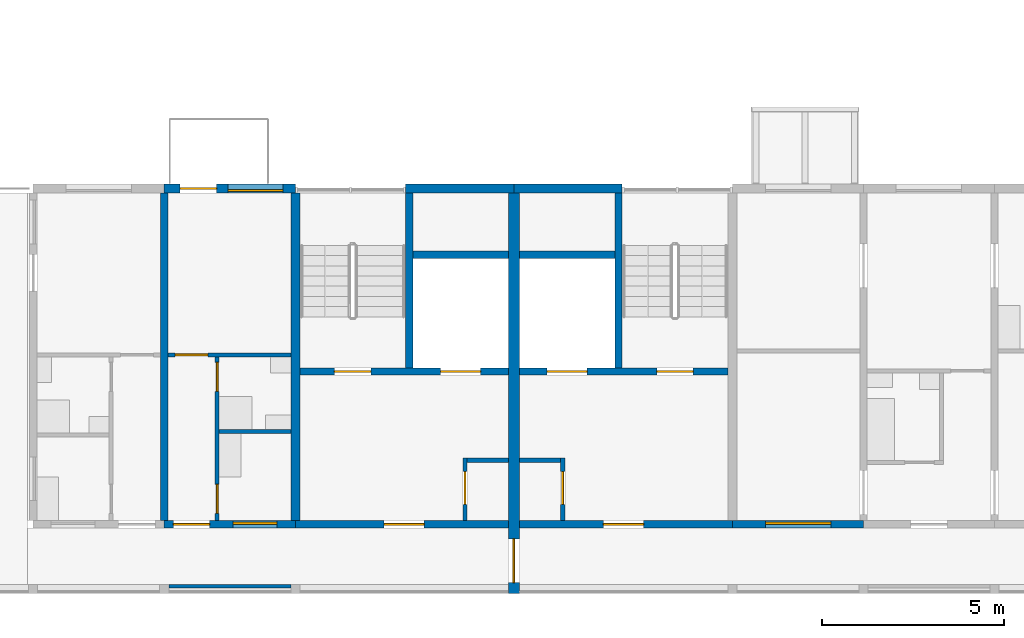
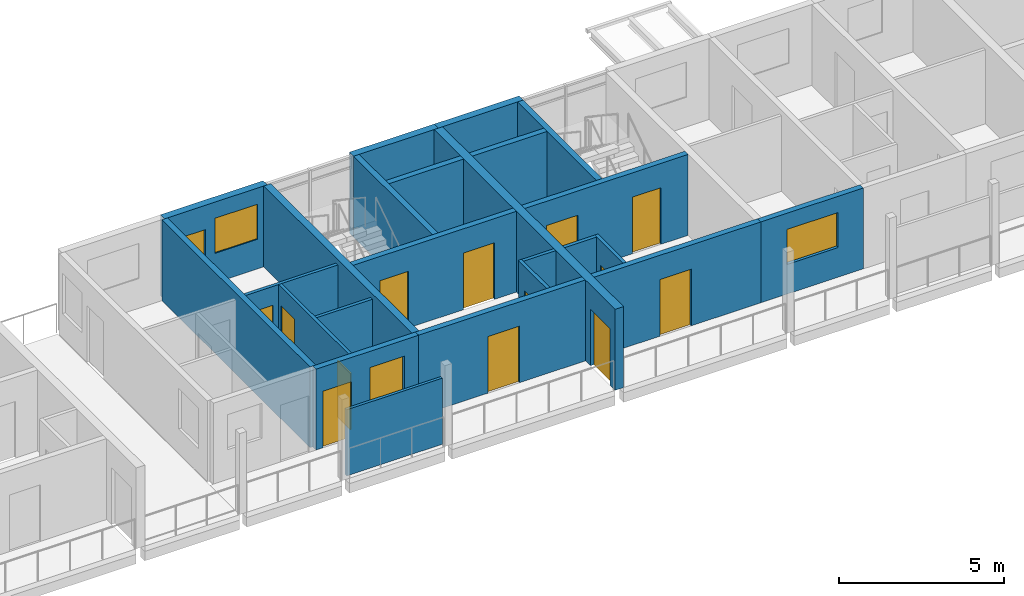
# One storey, part 36 of 64: 24 walls, 14 doors, 3 windows, 17 openings.
"""IFC4 building model written with IfcOpenShell, lengths in metres."""

from ifc_helpers import new_model, si_unit, direction, frame, frame_2d, origin, place, context, subcontext, project, spatial, rectangle, extrude, material, layer, layer_set, type_object, element, fill, save


model = new_model("IFC4")

# Units and contexts
model_context = context("Model", 3, precision=1e-05, world=origin(), true_north=direction((0.0, 1.0)))
body_context = subcontext(model_context, "Body", "Model", "MODEL_VIEW")
ifc_project = project(units=[si_unit("LENGTHUNIT", "METRE"), si_unit("AREAUNIT", "SQUARE_METRE"), si_unit("VOLUMEUNIT", "CUBIC_METRE"), si_unit("PLANEANGLEUNIT", "RADIAN"), si_unit("MASSUNIT", "GRAM", prefix="KILO")], contexts=[model_context])

# Site, building, storey
site_placement = place(None, origin())
site = spatial("IfcSite", under=ifc_project, at=site_placement, CompositionType="ELEMENT")
building_placement = place(site_placement, origin())
building = spatial("IfcBuilding", under=site, at=building_placement, Name="Ridgestep Commons", CompositionType="ELEMENT")
storey_placement = place(building_placement, frame((0.0, 0.0, 33.0)))
storey = spatial("IfcBuildingStorey", under=building, at=storey_placement, Name="L11", CompositionType="ELEMENT", Elevation=33.0)

# Wall
ifc_material_1 = material(Name="Concrete C30/37", Category="concrete")
ifc_layer_1 = layer(ifc_material_1, 0.25)
ifc_layer_set_1 = layer_set([ifc_layer_1], Name="Core cross wall 250")
wall_type_1 = type_object("IfcWallType", Name="Core cross wall 250", PredefinedType="SHEAR", material=ifc_layer_set_1)
wall_1_placement = place(storey_placement, frame((208.0, 13.75, 0.0), z_axis=(0.0, 0.0, 1.0), x_axis=(0.0, 1.0, 0.0)))
element("IfcWall", 1, at=wall_1_placement, inside=storey, type_object=wall_type_1, Name="Cross wall D-11-2080", PredefinedType="SHEAR", context=body_context, shape_type="SweptSolid", body=[
    extrude(rectangle(XDim=9.0, YDim=0.25, at=frame_2d((4.5, 0.0))), origin(), (0.0, 0.0, 1.0), 3.0),
])

# Wall, opening, door
ifc_material_2 = material(Name="Concrete C30/37", Category="concrete")
ifc_layer_2 = layer(ifc_material_2, 0.199951171875)
ifc_layer_set_2 = layer_set([ifc_layer_2], Name="Core south wall 200")
wall_type_2 = type_object("IfcWallType", Name="Core south wall 200", PredefinedType="SHEAR", material=ifc_layer_set_2)
wall_2_placement = place(storey_placement, frame((208.0, 13.64990234375, 0.0), z_axis=(0.0, 0.0, 1.0), x_axis=(1.0, 0.0, 0.0)))
wall_2 = element("IfcWall", 2, at=wall_2_placement, inside=storey, type_object=wall_type_2, Name="Core south wall D4C L11", PredefinedType="SHEAR", context=body_context, shape_type="SweptSolid", body=[
    extrude(rectangle(XDim=5.85009765625, YDim=0.199951171875, at=frame_2d((2.925048828125, 0.0))), origin(), (0.0, 0.0, 1.0), 3.0),
])
opening_1_placement = place(wall_2_placement, frame((2.4375, 0.0, 0.0)))
opening_1 = element("IfcOpeningElement", 3, at=opening_1_placement, cuts=wall_2, Name="Opening D4C/11/1", PredefinedType="OPENING", context=body_context, shape_type="SweptSolid", body=[
    extrude(rectangle(XDim=1.10009765625, YDim=2.10009765625, at=frame_2d((0.550048828125, 1.050048828125))), frame((0.0, 0.10986328125, 0.0), z_axis=(0.0, -1.0, 0.0), x_axis=(1.0, 0.0, 0.0)), (0.0, 0.0, 1.0), 0.219970703125),
])
ifc_material_3 = material(Name="Steel fire door", Category="steel")
door_type_1 = type_object("IfcDoorType", Name="Lobby door 1100 x 2100 FD60", OperationType="NOTDEFINED", PredefinedType="DOOR", material=ifc_material_3)
door_1_placement = place(opening_1_placement, origin())
door_1 = element("IfcDoor", 4, at=door_1_placement, inside=storey, type_object=door_type_1, Name="Lobby door D4C/11/1", OperationType="SINGLE_SWING_LEFT", OverallHeight=2.10009765625, OverallWidth=1.10009765625, PredefinedType="DOOR", context=body_context, shape_type="SweptSolid", body=[
    extrude(rectangle(XDim=1.10009765625, YDim=2.10009765625, at=frame_2d((0.550048828125, 1.050048828125))), frame((0.0, 0.02490234375, 0.0), z_axis=(0.0, -1.0, 0.0), x_axis=(1.0, 0.0, 0.0)), (0.0, 0.0, 1.0), 0.050048828125),
])
fill(opening_1, door_1)

wall_3_placement = place(storey_placement, frame((214.14990234375, 13.64990234375, 0.0), z_axis=(0.0, 0.0, 1.0), x_axis=(1.0, 0.0, 0.0)))
wall_3 = element("IfcWall", 5, at=wall_3_placement, inside=storey, type_object=wall_type_2, Name="Core south wall D5C L11", PredefinedType="SHEAR", context=body_context, shape_type="SweptSolid", body=[
    extrude(rectangle(XDim=5.85009765625, YDim=0.199951171875, at=frame_2d((2.925048828125, 0.0))), origin(), (0.0, 0.0, 1.0), 3.0),
])
opening_2_placement = place(wall_3_placement, frame((2.3125, 0.0, 0.0)))
opening_2 = element("IfcOpeningElement", 6, at=opening_2_placement, cuts=wall_3, Name="Opening D5C/11/1", PredefinedType="OPENING", context=body_context, shape_type="SweptSolid", body=[
    extrude(rectangle(XDim=1.10009765625, YDim=2.10009765625, at=frame_2d((0.550048828125, 1.050048828125))), frame((0.0, 0.10986328125, 0.0), z_axis=(0.0, -1.0, 0.0), x_axis=(1.0, 0.0, 0.0)), (0.0, 0.0, 1.0), 0.219970703125),
])
door_2_placement = place(opening_2_placement, origin())
door_2 = element("IfcDoor", 7, at=door_2_placement, inside=storey, type_object=door_type_1, Name="Lobby door D5C/11/1", OperationType="SINGLE_SWING_LEFT", OverallHeight=2.10009765625, OverallWidth=1.10009765625, PredefinedType="DOOR", context=body_context, shape_type="SweptSolid", body=[
    extrude(rectangle(XDim=1.10009765625, YDim=2.10009765625, at=frame_2d((0.550048828125, 1.050048828125))), frame((0.0, 0.02490234375, 0.0), z_axis=(0.0, -1.0, 0.0), x_axis=(1.0, 0.0, 0.0)), (0.0, 0.0, 1.0), 0.050048828125),
])
fill(opening_2, door_2)

ifc_material_4 = material(Name="Concrete C30/37", Category="concrete")
ifc_layer_3 = layer(ifc_material_4, 0.1201171875)
ifc_layer_set_3 = layer_set([ifc_layer_3], Name="Core wall 120")
wall_type_3 = type_object("IfcWallType", Name="Core wall 120", PredefinedType="SHEAR", material=ifc_layer_set_3)
wall_4_placement = place(storey_placement, frame((212.659912109375, 13.75, 0.0), z_axis=(0.0, 0.0, 1.0), x_axis=(0.0, 1.0, 0.0)))
wall_4 = element("IfcWall", 8, at=wall_4_placement, inside=storey, type_object=wall_type_3, Name="Core riser w wall D4C L11", PredefinedType="SHEAR", context=body_context, shape_type="SweptSolid", body=[
    extrude(rectangle(XDim=1.719970703125, YDim=0.1201171875, at=frame_2d((0.85986328125, 0.0))), origin(), (0.0, 0.0, 1.0), 3.0),
])
opening_3_placement = place(wall_4_placement, frame((0.449951171875, 0.0, 0.0)))
opening_3 = element("IfcOpeningElement", 9, at=opening_3_placement, cuts=wall_4, Name="Opening D4C/11/4", PredefinedType="OPENING", context=body_context, shape_type="SweptSolid", body=[
    extrude(rectangle(XDim=0.89990234375, YDim=2.10009765625, at=frame_2d((0.449951171875, 1.050048828125))), frame((0.0, 0.070068359375, 0.0), z_axis=(0.0, -1.0, 0.0), x_axis=(1.0, 0.0, 0.0)), (0.0, 0.0, 1.0), 0.14013671875),
])
ifc_material_5 = material(Name="Steel fire door", Category="steel")
door_type_2 = type_object("IfcDoorType", Name="Riser door 900 x 2100 FD60", OperationType="NOTDEFINED", PredefinedType="DOOR", material=ifc_material_5)
door_3_placement = place(opening_3_placement, origin())
door_3 = element("IfcDoor", 10, at=door_3_placement, inside=storey, type_object=door_type_2, Name="Riser door D4C/11/4", OperationType="SINGLE_SWING_LEFT", OverallHeight=2.10009765625, OverallWidth=0.89990234375, PredefinedType="DOOR", context=body_context, shape_type="SweptSolid", body=[
    extrude(rectangle(XDim=0.89990234375, YDim=2.10009765625, at=frame_2d((0.449951171875, 1.050048828125))), frame((0.0, 0.02490234375, 0.0), z_axis=(0.0, -1.0, 0.0), x_axis=(1.0, 0.0, 0.0)), (0.0, 0.0, 1.0), 0.050048828125),
])
fill(opening_3, door_3)

# Wall
wall_5_placement = place(storey_placement, frame((212.719970703125, 15.409912109375, 0.0), z_axis=(0.0, 0.0, 1.0), x_axis=(1.0, 0.0, 0.0)))
element("IfcWall", 11, at=wall_5_placement, inside=storey, type_object=wall_type_3, Name="Core riser n wall D4C L11", PredefinedType="SHEAR", context=body_context, shape_type="SweptSolid", body=[
    extrude(rectangle(XDim=1.130126953125, YDim=0.1201171875, at=frame_2d((0.56494140625, 0.0))), origin(), (0.0, 0.0, 1.0), 3.0),
])

# Wall, opening, door
wall_6_placement = place(storey_placement, frame((215.340087890625, 13.75, 0.0), z_axis=(0.0, 0.0, 1.0), x_axis=(0.0, 1.0, 0.0)))
wall_6 = element("IfcWall", 12, at=wall_6_placement, inside=storey, type_object=wall_type_3, Name="Core riser w wall D5C L11", PredefinedType="SHEAR", context=body_context, shape_type="SweptSolid", body=[
    extrude(rectangle(XDim=1.719970703125, YDim=0.1201171875, at=frame_2d((0.85986328125, 0.0))), origin(), (0.0, 0.0, 1.0), 3.0),
])
opening_4_placement = place(wall_6_placement, frame((0.449951171875, 0.0, 0.0)))
opening_4 = element("IfcOpeningElement", 13, at=opening_4_placement, cuts=wall_6, Name="Opening D5C/11/4", PredefinedType="OPENING", context=body_context, shape_type="SweptSolid", body=[
    extrude(rectangle(XDim=0.89990234375, YDim=2.10009765625, at=frame_2d((0.449951171875, 1.050048828125))), frame((0.0, 0.070068359375, 0.0), z_axis=(0.0, -1.0, 0.0), x_axis=(1.0, 0.0, 0.0)), (0.0, 0.0, 1.0), 0.14013671875),
])
door_4_placement = place(opening_4_placement, origin())
door_4 = element("IfcDoor", 14, at=door_4_placement, inside=storey, type_object=door_type_2, Name="Riser door D5C/11/4", OperationType="SINGLE_SWING_RIGHT", OverallHeight=2.10009765625, OverallWidth=0.89990234375, PredefinedType="DOOR", context=body_context, shape_type="SweptSolid", body=[
    extrude(rectangle(XDim=0.89990234375, YDim=2.10009765625, at=frame_2d((0.449951171875, 1.050048828125))), frame((0.0, 0.02490234375, 0.0), z_axis=(0.0, -1.0, 0.0), x_axis=(1.0, 0.0, 0.0)), (0.0, 0.0, 1.0), 0.050048828125),
])
fill(opening_4, door_4)

# Wall
wall_7_placement = place(storey_placement, frame((214.14990234375, 15.409912109375, 0.0), z_axis=(0.0, 0.0, 1.0), x_axis=(1.0, 0.0, 0.0)))
element("IfcWall", 15, at=wall_7_placement, inside=storey, type_object=wall_type_3, Name="Core riser n wall D5C L11", PredefinedType="SHEAR", context=body_context, shape_type="SweptSolid", body=[
    extrude(rectangle(XDim=1.130126953125, YDim=0.1201171875, at=frame_2d((0.56494140625, 0.0))), origin(), (0.0, 0.0, 1.0), 3.0),
])

# Wall, openings, doors
ifc_material_6 = material(Name="Concrete C30/37", Category="concrete")
ifc_layer_4 = layer(ifc_material_6, 0.199951171875)
ifc_layer_set_4 = layer_set([ifc_layer_4], Name="Core wall 200")
wall_type_4 = type_object("IfcWallType", Name="Core wall 200", PredefinedType="SHEAR", material=ifc_layer_set_4)
wall_8_placement = place(storey_placement, frame((208.125, 17.85009765625, 0.0), z_axis=(0.0, 0.0, 1.0), x_axis=(1.0, 0.0, 0.0)))
wall_8 = element("IfcWall", 16, at=wall_8_placement, inside=storey, type_object=wall_type_4, Name="Core lobby wall D4C L11", PredefinedType="SHEAR", context=body_context, shape_type="SweptSolid", body=[
    extrude(rectangle(XDim=5.72509765625, YDim=0.199951171875, at=frame_2d((2.862548828125, 0.0))), origin(), (0.0, 0.0, 1.0), 3.0),
])
opening_5_placement = place(wall_8_placement, frame((0.949951171875, 0.0, 0.0)))
opening_5 = element("IfcOpeningElement", 17, at=opening_5_placement, cuts=wall_8, Name="Opening D4C/11/2", PredefinedType="OPENING", context=body_context, shape_type="SweptSolid", body=[
    extrude(rectangle(XDim=1.0, YDim=2.10009765625, at=frame_2d((0.5, 1.050048828125))), frame((0.0, 0.10986328125, 0.0), z_axis=(0.0, -1.0, 0.0), x_axis=(1.0, 0.0, 0.0)), (0.0, 0.0, 1.0), 0.219970703125),
])
opening_6_placement = place(wall_8_placement, frame((3.862548828125, 0.0, 0.0)))
opening_6 = element("IfcOpeningElement", 18, at=opening_6_placement, cuts=wall_8, Name="Opening D4C/11/3", PredefinedType="OPENING", context=body_context, shape_type="SweptSolid", body=[
    extrude(rectangle(XDim=1.10009765625, YDim=2.10009765625, at=frame_2d((0.550048828125, 1.050048828125))), frame((0.0, 0.10986328125, 0.0), z_axis=(0.0, -1.0, 0.0), x_axis=(1.0, 0.0, 0.0)), (0.0, 0.0, 1.0), 0.219970703125),
])
ifc_material_7 = material(Name="Stainless steel", Category="steel")
door_type_3 = type_object("IfcDoorType", Name="Lift landing door 1100 x 2100 FD60", OperationType="DOUBLE_DOOR_SLIDING", PredefinedType="DOOR", material=ifc_material_7)
door_5_placement = place(opening_6_placement, origin())
door_5 = element("IfcDoor", 19, at=door_5_placement, inside=storey, type_object=door_type_3, Name="Landing door LD D4C L11", OperationType="DOUBLE_DOOR_SLIDING", OverallHeight=2.10009765625, OverallWidth=1.10009765625, PredefinedType="DOOR", context=body_context, shape_type="SweptSolid", body=[
    extrude(rectangle(XDim=1.10009765625, YDim=2.10009765625, at=frame_2d((0.550048828125, 1.050048828125))), frame((0.0, 0.02490234375, 0.0), z_axis=(0.0, -1.0, 0.0), x_axis=(1.0, 0.0, 0.0)), (0.0, 0.0, 1.0), 0.050048828125),
])
fill(opening_6, door_5)
ifc_material_8 = material(Name="Steel fire door", Category="steel")
door_type_4 = type_object("IfcDoorType", Name="Stair door 1000 x 2100 FD60", OperationType="NOTDEFINED", PredefinedType="DOOR", material=ifc_material_8)
door_6_placement = place(opening_5_placement, origin())
door_6 = element("IfcDoor", 20, at=door_6_placement, inside=storey, type_object=door_type_4, Name="Stair door D4C/11/2", OperationType="SINGLE_SWING_RIGHT", OverallHeight=2.10009765625, OverallWidth=1.0, PredefinedType="DOOR", context=body_context, shape_type="SweptSolid", body=[
    extrude(rectangle(XDim=1.0, YDim=2.10009765625, at=frame_2d((0.5, 1.050048828125))), frame((0.0, 0.02490234375, 0.0), z_axis=(0.0, -1.0, 0.0), x_axis=(1.0, 0.0, 0.0)), (0.0, 0.0, 1.0), 0.050048828125),
])
fill(opening_5, door_6)

# Walls
wall_9_placement = place(storey_placement, frame((211.125, 17.949951171875, 0.0), z_axis=(0.0, 0.0, 1.0), x_axis=(0.0, 1.0, 0.0)))
element("IfcWall", 21, at=wall_9_placement, inside=storey, type_object=wall_type_4, Name="Core stair wall D4C L11", PredefinedType="SHEAR", context=body_context, shape_type="SweptSolid", body=[
    extrude(rectangle(XDim=4.800048828125, YDim=0.199951171875, at=frame_2d((2.39990234375, 0.0))), origin(), (0.0, 0.0, 1.0), 3.0),
])
wall_10_placement = place(storey_placement, frame((211.22509765625, 21.050048828125, 0.0), z_axis=(0.0, 0.0, 1.0), x_axis=(1.0, 0.0, 0.0)))
element("IfcWall", 22, at=wall_10_placement, inside=storey, type_object=wall_type_4, Name="Core duct wall D4C L11", PredefinedType="SHEAR", context=body_context, shape_type="SweptSolid", body=[
    extrude(rectangle(XDim=2.625, YDim=0.199951171875, at=frame_2d((1.3125, 0.0))), origin(), (0.0, 0.0, 1.0), 3.0),
])

# Wall, openings, doors
wall_11_placement = place(storey_placement, frame((214.14990234375, 17.85009765625, 0.0), z_axis=(0.0, 0.0, 1.0), x_axis=(1.0, 0.0, 0.0)))
wall_11 = element("IfcWall", 23, at=wall_11_placement, inside=storey, type_object=wall_type_4, Name="Core lobby wall D5C L11", PredefinedType="SHEAR", context=body_context, shape_type="SweptSolid", body=[
    extrude(rectangle(XDim=5.72509765625, YDim=0.199951171875, at=frame_2d((2.862548828125, 0.0))), origin(), (0.0, 0.0, 1.0), 3.0),
])
opening_7_placement = place(wall_11_placement, frame((3.77490234375, 0.0, 0.0)))
opening_7 = element("IfcOpeningElement", 24, at=opening_7_placement, cuts=wall_11, Name="Opening D5C/11/2", PredefinedType="OPENING", context=body_context, shape_type="SweptSolid", body=[
    extrude(rectangle(XDim=1.0, YDim=2.10009765625, at=frame_2d((0.5, 1.050048828125))), frame((0.0, 0.10986328125, 0.0), z_axis=(0.0, -1.0, 0.0), x_axis=(1.0, 0.0, 0.0)), (0.0, 0.0, 1.0), 0.219970703125),
])
opening_8_placement = place(wall_11_placement, frame((0.762451171875, 0.0, 0.0)))
opening_8 = element("IfcOpeningElement", 25, at=opening_8_placement, cuts=wall_11, Name="Opening D5C/11/3", PredefinedType="OPENING", context=body_context, shape_type="SweptSolid", body=[
    extrude(rectangle(XDim=1.10009765625, YDim=2.10009765625, at=frame_2d((0.550048828125, 1.050048828125))), frame((0.0, 0.10986328125, 0.0), z_axis=(0.0, -1.0, 0.0), x_axis=(1.0, 0.0, 0.0)), (0.0, 0.0, 1.0), 0.219970703125),
])
door_7_placement = place(opening_8_placement, origin())
door_7 = element("IfcDoor", 26, at=door_7_placement, inside=storey, type_object=door_type_3, Name="Landing door LD D5C L11", OperationType="DOUBLE_DOOR_SLIDING", OverallHeight=2.10009765625, OverallWidth=1.10009765625, PredefinedType="DOOR", context=body_context, shape_type="SweptSolid", body=[
    extrude(rectangle(XDim=1.10009765625, YDim=2.10009765625, at=frame_2d((0.550048828125, 1.050048828125))), frame((0.0, 0.02490234375, 0.0), z_axis=(0.0, -1.0, 0.0), x_axis=(1.0, 0.0, 0.0)), (0.0, 0.0, 1.0), 0.050048828125),
])
fill(opening_8, door_7)
door_8_placement = place(opening_7_placement, origin())
door_8 = element("IfcDoor", 27, at=door_8_placement, inside=storey, type_object=door_type_4, Name="Stair door D5C/11/2", OperationType="SINGLE_SWING_RIGHT", OverallHeight=2.10009765625, OverallWidth=1.0, PredefinedType="DOOR", context=body_context, shape_type="SweptSolid", body=[
    extrude(rectangle(XDim=1.0, YDim=2.10009765625, at=frame_2d((0.5, 1.050048828125))), frame((0.0, 0.02490234375, 0.0), z_axis=(0.0, -1.0, 0.0), x_axis=(1.0, 0.0, 0.0)), (0.0, 0.0, 1.0), 0.050048828125),
])
fill(opening_7, door_8)

# Walls
wall_12_placement = place(storey_placement, frame((216.875, 17.949951171875, 0.0), z_axis=(0.0, 0.0, 1.0), x_axis=(0.0, 1.0, 0.0)))
element("IfcWall", 28, at=wall_12_placement, inside=storey, type_object=wall_type_4, Name="Core stair wall D5C L11", PredefinedType="SHEAR", context=body_context, shape_type="SweptSolid", body=[
    extrude(rectangle(XDim=4.800048828125, YDim=0.199951171875, at=frame_2d((2.39990234375, 0.0))), origin(), (0.0, 0.0, 1.0), 3.0),
])
wall_13_placement = place(storey_placement, frame((214.14990234375, 21.050048828125, 0.0), z_axis=(0.0, 0.0, 1.0), x_axis=(1.0, 0.0, 0.0)))
element("IfcWall", 29, at=wall_13_placement, inside=storey, type_object=wall_type_4, Name="Core duct wall D5C L11", PredefinedType="SHEAR", context=body_context, shape_type="SweptSolid", body=[
    extrude(rectangle(XDim=2.625, YDim=0.199951171875, at=frame_2d((1.3125, 0.0))), origin(), (0.0, 0.0, 1.0), 3.0),
])
ifc_material_9 = material(Name="Precast concrete C40/50", Category="concrete")
ifc_layer_5 = layer(ifc_material_9, 0.199951171875)
ifc_layer_set_5 = layer_set([ifc_layer_5], Name="Cross wall 200")
wall_type_5 = type_object("IfcWallType", Name="Cross wall 200", PredefinedType="SHEAR", material=ifc_layer_set_5)
wall_14_placement = place(storey_placement, frame((204.39990234375, 13.75, 0.0), z_axis=(0.0, 0.0, 1.0), x_axis=(0.0, 1.0, 0.0)))
element("IfcWall", 30, at=wall_14_placement, inside=storey, type_object=wall_type_5, Name="Cross wall D-11-2044", PredefinedType="SHEAR", context=body_context, shape_type="SweptSolid", body=[
    extrude(rectangle(XDim=9.0, YDim=0.199951171875, at=frame_2d((4.5, 0.0))), origin(), (0.0, 0.0, 1.0), 3.0),
])

# Wall, opening, door
ifc_material_10 = material(Name="Precast concrete C40/50", Category="concrete")
ifc_layer_6 = layer(ifc_material_10, 0.300048828125)
ifc_layer_set_6 = layer_set([ifc_layer_6], Name="Division wall 300")
wall_type_6 = type_object("IfcWallType", Name="Division wall 300", PredefinedType="SHEAR", material=ifc_layer_set_6)
wall_15_placement = place(storey_placement, frame((214.0, 11.75, 0.0), z_axis=(0.0, 0.0, 1.0), x_axis=(0.0, 1.0, 0.0)))
wall_15 = element("IfcWall", 31, at=wall_15_placement, inside=storey, type_object=wall_type_6, Name="Cross wall D-11-2140", PredefinedType="SHEAR", context=body_context, shape_type="SweptSolid", body=[
    extrude(rectangle(XDim=11.0, YDim=0.300048828125, at=frame_2d((5.5, 0.0))), origin(), (0.0, 0.0, 1.0), 3.0),
])
opening_9_placement = place(wall_15_placement, frame((0.300048828125, 0.0, 0.0)))
opening_9 = element("IfcOpeningElement", 32, at=opening_9_placement, cuts=wall_15, Name="Opening D/11/G2140", PredefinedType="OPENING", context=body_context, shape_type="SweptSolid", body=[
    extrude(rectangle(XDim=1.199951171875, YDim=2.10009765625, at=frame_2d((0.60009765625, 1.050048828125))), frame((0.0, 0.159912109375, 0.0), z_axis=(0.0, -1.0, 0.0), x_axis=(1.0, 0.0, 0.0)), (0.0, 0.0, 1.0), 0.320068359375),
])
ifc_material_11 = material(Name="Steel fire door", Category="steel")
door_type_5 = type_object("IfcDoorType", Name="Division fire door 1200 x 2100 EI 240", OperationType="DOUBLE_DOOR_SINGLE_SWING", PredefinedType="DOOR", material=ifc_material_11)
door_9_placement = place(opening_9_placement, origin())
door_9 = element("IfcDoor", 33, at=door_9_placement, inside=storey, type_object=door_type_5, Name="Division fire door D/11/G2140", OperationType="DOUBLE_DOOR_SINGLE_SWING", OverallHeight=2.10009765625, OverallWidth=1.199951171875, PredefinedType="DOOR", context=body_context, shape_type="SweptSolid", body=[
    extrude(rectangle(XDim=1.199951171875, YDim=2.10009765625, at=frame_2d((0.60009765625, 1.050048828125))), frame((0.0, 0.02490234375, 0.0), z_axis=(0.0, -1.0, 0.0), x_axis=(1.0, 0.0, 0.0)), (0.0, 0.0, 1.0), 0.050048828125),
])
fill(opening_9, door_9)

# Wall, openings, door, window
ifc_material_12 = material(Name="Precast concrete C40/50", Category="concrete")
ifc_layer_7 = layer(ifc_material_12, 0.25)
ifc_layer_set_7 = layer_set([ifc_layer_7], Name="North facade panel 250")
wall_type_7 = type_object("IfcWallType", Name="North facade panel 250", PredefinedType="SOLIDWALL", material=ifc_layer_set_7)
wall_16_placement = place(storey_placement, frame((204.39990234375, 22.875, 0.0), z_axis=(0.0, 0.0, 1.0), x_axis=(1.0, 0.0, 0.0)))
wall_16 = element("IfcWall", 34, at=wall_16_placement, inside=storey, type_object=wall_type_7, Name="North panel D4T3 L11", PredefinedType="SOLIDWALL", context=body_context, shape_type="SweptSolid", body=[
    extrude(rectangle(XDim=3.60009765625, YDim=0.25, at=frame_2d((1.800048828125, 0.0))), origin(), (0.0, 0.0, 1.0), 3.0),
])
opening_10_placement = place(wall_16_placement, frame((1.757568359375, 0.0, 1.10009765625)))
opening_10 = element("IfcOpeningElement", 35, at=opening_10_placement, cuts=wall_16, Name="Opening W14", PredefinedType="OPENING", context=body_context, shape_type="SweptSolid", body=[
    extrude(rectangle(XDim=1.5, YDim=1.300048828125, at=frame_2d((0.75, 0.64990234375))), frame((0.0, 0.135009765625, 0.0), z_axis=(0.0, -1.0, 0.0), x_axis=(1.0, 0.0, 0.0)), (0.0, 0.0, 1.0), 0.27001953125),
])
opening_11_placement = place(wall_16_placement, frame((0.43994140625, 0.0, 0.0)))
opening_11 = element("IfcOpeningElement", 36, at=opening_11_placement, cuts=wall_16, Name="Opening D4-11b/5", PredefinedType="OPENING", context=body_context, shape_type="SweptSolid", body=[
    extrude(rectangle(XDim=1.0, YDim=2.10009765625, at=frame_2d((0.5, 1.050048828125))), frame((0.0, 0.135009765625, 0.0), z_axis=(0.0, -1.0, 0.0), x_axis=(1.0, 0.0, 0.0)), (0.0, 0.0, 1.0), 0.27001953125),
])
ifc_material_13 = material(Name="Aluminium and glass", Category="aluminium")
door_type_6 = type_object("IfcDoorType", Name="Balcony door 1000 x 2100", OperationType="NOTDEFINED", PredefinedType="DOOR", material=ifc_material_13)
door_10_placement = place(opening_11_placement, origin())
door_10 = element("IfcDoor", 37, at=door_10_placement, inside=storey, type_object=door_type_6, Name="Balcony door D4-11b/5", OperationType="SINGLE_SWING_RIGHT", OverallHeight=2.10009765625, OverallWidth=1.0, PredefinedType="DOOR", context=body_context, shape_type="SweptSolid", body=[
    extrude(rectangle(XDim=1.0, YDim=2.10009765625, at=frame_2d((0.5, 1.050048828125))), frame((0.0, 0.02490234375, 0.0), z_axis=(0.0, -1.0, 0.0), x_axis=(1.0, 0.0, 0.0)), (0.0, 0.0, 1.0), 0.050048828125),
])
fill(opening_11, door_10)
ifc_material_14 = material(Name="Aluminium 6063-T6 and glass", Category="aluminium")
window_type_1 = type_object("IfcWindowType", Name="Flat window 1500 x 1300", PartitioningType="DOUBLE_PANEL_VERTICAL", PredefinedType="WINDOW", material=ifc_material_14)
window_1_placement = place(opening_10_placement, origin())
window_1 = element("IfcWindow", 38, at=window_1_placement, inside=storey, type_object=window_type_1, Name="Window D4-11b 2", OverallHeight=1.300048828125, OverallWidth=1.5, PartitioningType="SINGLE_PANEL", PredefinedType="WINDOW", context=body_context, shape_type="SweptSolid", body=[
    extrude(rectangle(XDim=1.5, YDim=1.300048828125, at=frame_2d((0.75, 0.64990234375))), frame((0.0, -0.02490234375, 0.0), z_axis=(0.0, -1.0, 0.0), x_axis=(1.0, 0.0, 0.0)), (0.0, 0.0, 1.0), 0.06005859375),
])
fill(opening_10, window_1)

# Walls
for number, where, z_axis, x_axis, name in (
    (39, (211.02490234375, 22.875, 0.0), (0.0, 0.0, 1.0), (1.0, 0.0, 0.0), "North panel D4C L11"),
    (40, (214.0, 22.875, 0.0), (0.0, 0.0, 1.0), (1.0, 0.0, 0.0), "North panel D5C L11"),
):
    element("IfcWall", number, at=place(storey_placement, frame(where, z_axis=z_axis, x_axis=x_axis)), inside=storey, type_object=wall_type_7, Name=name, PredefinedType="SOLIDWALL", context=body_context, shape_type="SweptSolid", body=[
        extrude(rectangle(XDim=2.97509765625, YDim=0.25, at=frame_2d((1.487548828125, 0.0))), origin(), (0.0, 0.0, 1.0), 3.0),
    ])

# Wall, openings, doors
ifc_material_15 = material(Name="Common brick 110 mm", Category="masonry")
ifc_layer_8 = layer(ifc_material_15, 0.110107421875)
ifc_layer_set_8 = layer_set([ifc_layer_8], Name="Partition 110")
wall_type_8 = type_object("IfcWallType", Name="Partition 110", PredefinedType="PARTITIONING", material=ifc_layer_set_8)
wall_17_placement = place(storey_placement, frame((205.85498046875, 13.75, 0.0), z_axis=(0.0, 0.0, 1.0), x_axis=(0.0, 1.0, 0.0)))
wall_17 = element("IfcWall", 41, at=wall_17_placement, inside=storey, type_object=wall_type_8, Name="Partition D4-11b", PredefinedType="PARTITIONING", context=body_context, shape_type="SweptSolid", body=[
    extrude(rectangle(XDim=4.5, YDim=0.110107421875, at=frame_2d((2.25, 0.0))), origin(), (0.0, 0.0, 1.0), 2.800048828125),
])
opening_12_placement = place(wall_17_placement, frame((0.199951171875, 0.0, 0.0)))
opening_12 = element("IfcOpeningElement", 42, at=opening_12_placement, cuts=wall_17, Name="Opening D4-11b/2", PredefinedType="OPENING", context=body_context, shape_type="SweptSolid", body=[
    extrude(rectangle(XDim=0.800048828125, YDim=2.10009765625, at=frame_2d((0.39990234375, 1.050048828125))), frame((0.0, 0.06494140625, 0.0), z_axis=(0.0, -1.0, 0.0), x_axis=(1.0, 0.0, 0.0)), (0.0, 0.0, 1.0), 0.130126953125),
])
opening_13_placement = place(wall_17_placement, frame((3.550048828125, 0.0, 0.0)))
opening_13 = element("IfcOpeningElement", 43, at=opening_13_placement, cuts=wall_17, Name="Opening D4-11b/3", PredefinedType="OPENING", context=body_context, shape_type="SweptSolid", body=[
    extrude(rectangle(XDim=0.800048828125, YDim=2.10009765625, at=frame_2d((0.39990234375, 1.050048828125))), frame((0.0, 0.06494140625, 0.0), z_axis=(0.0, -1.0, 0.0), x_axis=(1.0, 0.0, 0.0)), (0.0, 0.0, 1.0), 0.130126953125),
])
ifc_material_16 = material(Name="Timber door leaf", Category="wood")
door_type_7 = type_object("IfcDoorType", Name="Internal door 800 x 2100", OperationType="NOTDEFINED", PredefinedType="DOOR", material=ifc_material_16)
door_11_placement = place(opening_12_placement, origin())
door_11 = element("IfcDoor", 44, at=door_11_placement, inside=storey, type_object=door_type_7, Name="Internal door D4-11b/2", OperationType="SINGLE_SWING_RIGHT", OverallHeight=2.10009765625, OverallWidth=0.800048828125, PredefinedType="DOOR", context=body_context, shape_type="SweptSolid", body=[
    extrude(rectangle(XDim=0.800048828125, YDim=2.10009765625, at=frame_2d((0.39990234375, 1.050048828125))), frame((0.0, 0.02490234375, 0.0), z_axis=(0.0, -1.0, 0.0), x_axis=(1.0, 0.0, 0.0)), (0.0, 0.0, 1.0), 0.050048828125),
])
fill(opening_12, door_11)
door_12_placement = place(opening_13_placement, origin())
door_12 = element("IfcDoor", 45, at=door_12_placement, inside=storey, type_object=door_type_7, Name="Internal door D4-11b/3", OperationType="SINGLE_SWING_LEFT", OverallHeight=2.10009765625, OverallWidth=0.800048828125, PredefinedType="DOOR", context=body_context, shape_type="SweptSolid", body=[
    extrude(rectangle(XDim=0.800048828125, YDim=2.10009765625, at=frame_2d((0.39990234375, 1.050048828125))), frame((0.0, 0.02490234375, 0.0), z_axis=(0.0, -1.0, 0.0), x_axis=(1.0, 0.0, 0.0)), (0.0, 0.0, 1.0), 0.050048828125),
])
fill(opening_13, door_12)

# Wall
wall_18_placement = place(storey_placement, frame((205.909912109375, 16.205078125, 0.0), z_axis=(0.0, 0.0, 1.0), x_axis=(1.0, 0.0, 0.0)))
element("IfcWall", 46, at=wall_18_placement, inside=storey, type_object=wall_type_8, Name="Partition D4-11b", PredefinedType="PARTITIONING", context=body_context, shape_type="SweptSolid", body=[
    extrude(rectangle(XDim=1.965087890625, YDim=0.110107421875, at=frame_2d((0.982421875, 0.0))), origin(), (0.0, 0.0, 1.0), 2.800048828125),
])

# Wall, opening, door
wall_19_placement = place(storey_placement, frame((204.5, 18.304931640625, 0.0), z_axis=(0.0, 0.0, 1.0), x_axis=(1.0, 0.0, 0.0)))
wall_19 = element("IfcWall", 47, at=wall_19_placement, inside=storey, type_object=wall_type_8, Name="Partition D4-11b", PredefinedType="PARTITIONING", context=body_context, shape_type="SweptSolid", body=[
    extrude(rectangle(XDim=3.375, YDim=0.110107421875, at=frame_2d((1.6875, 0.0))), origin(), (0.0, 0.0, 1.0), 2.800048828125),
])
opening_14_placement = place(wall_19_placement, frame((0.199951171875, 0.0, 0.0)))
opening_14 = element("IfcOpeningElement", 48, at=opening_14_placement, cuts=wall_19, Name="Opening D4-11b/4", PredefinedType="OPENING", context=body_context, shape_type="SweptSolid", body=[
    extrude(rectangle(XDim=0.89990234375, YDim=2.10009765625, at=frame_2d((0.449951171875, 1.050048828125))), frame((0.0, 0.06494140625, 0.0), z_axis=(0.0, -1.0, 0.0), x_axis=(1.0, 0.0, 0.0)), (0.0, 0.0, 1.0), 0.130126953125),
])
ifc_material_17 = material(Name="Timber door leaf", Category="wood")
door_type_8 = type_object("IfcDoorType", Name="Internal door 900 x 2100", OperationType="NOTDEFINED", PredefinedType="DOOR", material=ifc_material_17)
door_13_placement = place(opening_14_placement, origin())
door_13 = element("IfcDoor", 49, at=door_13_placement, inside=storey, type_object=door_type_8, Name="Internal door D4-11b/4", OperationType="SINGLE_SWING_LEFT", OverallHeight=2.10009765625, OverallWidth=0.89990234375, PredefinedType="DOOR", context=body_context, shape_type="SweptSolid", body=[
    extrude(rectangle(XDim=0.89990234375, YDim=2.10009765625, at=frame_2d((0.449951171875, 1.050048828125))), frame((0.0, 0.02490234375, 0.0), z_axis=(0.0, -1.0, 0.0), x_axis=(1.0, 0.0, 0.0)), (0.0, 0.0, 1.0), 0.050048828125),
])
fill(opening_14, door_13)

# Wall
ifc_material_18 = material(Name="Precast concrete C30/37", Category="concrete")
ifc_layer_9 = layer(ifc_material_18, 0.10009765625)
ifc_layer_set_9 = layer_set([ifc_layer_9], Name="Perforated gallery screen 3350 x 2450 x 100")
wall_type_9 = type_object("IfcWallType", Name="Perforated gallery screen 3350 x 2450 x 100", PredefinedType="SOLIDWALL", material=ifc_layer_set_9)
wall_20_placement = place(storey_placement, frame((204.52490234375, 11.949951171875, 0.0), z_axis=(0.0, 0.0, 1.0), x_axis=(1.0, 0.0, 0.0)))
element("IfcWall", 50, at=wall_20_placement, inside=storey, type_object=wall_type_9, Name="Gallery screen D4T3 11", PredefinedType="SOLIDWALL", context=body_context, shape_type="SweptSolid", body=[
    extrude(rectangle(XDim=3.35009765625, YDim=0.10009765625, at=frame_2d((1.675048828125, 0.0))), origin(), (0.0, 0.0, 1.0), 2.449951171875),
])

# Wall, openings, door, window
ifc_material_19 = material(Name="Precast concrete C40/50", Category="concrete")
ifc_layer_10 = layer(ifc_material_19, 0.199951171875)
ifc_layer_set_10 = layer_set([ifc_layer_10], Name="South facade panel 200")
wall_type_10 = type_object("IfcWallType", Name="South facade panel 200", PredefinedType="SOLIDWALL", material=ifc_layer_set_10)
wall_21_placement = place(storey_placement, frame((204.39990234375, 13.64990234375, 0.0), z_axis=(0.0, 0.0, 1.0), x_axis=(1.0, 0.0, 0.0)))
wall_21 = element("IfcWall", 51, at=wall_21_placement, inside=storey, type_object=wall_type_10, Name="South panel D4T3 L11", PredefinedType="SOLIDWALL", context=body_context, shape_type="SweptSolid", body=[
    extrude(rectangle(XDim=3.60009765625, YDim=0.199951171875, at=frame_2d((1.800048828125, 0.0))), origin(), (0.0, 0.0, 1.0), 3.0),
])
opening_15_placement = place(wall_21_placement, frame((1.892578125, 0.0, 1.10009765625)))
opening_15 = element("IfcOpeningElement", 52, at=opening_15_placement, cuts=wall_21, Name="Opening W08", PredefinedType="OPENING", context=body_context, shape_type="SweptSolid", body=[
    extrude(rectangle(XDim=1.199951171875, YDim=1.300048828125, at=frame_2d((0.60009765625, 0.64990234375))), frame((0.0, 0.10986328125, 0.0), z_axis=(0.0, -1.0, 0.0), x_axis=(1.0, 0.0, 0.0)), (0.0, 0.0, 1.0), 0.219970703125),
])
opening_16_placement = place(wall_21_placement, frame((0.25, 0.0, 0.0)))
opening_16 = element("IfcOpeningElement", 53, at=opening_16_placement, cuts=wall_21, Name="Opening D4-11b/1", PredefinedType="OPENING", context=body_context, shape_type="SweptSolid", body=[
    extrude(rectangle(XDim=1.0, YDim=2.10009765625, at=frame_2d((0.5, 1.050048828125))), frame((0.0, 0.10986328125, 0.0), z_axis=(0.0, -1.0, 0.0), x_axis=(1.0, 0.0, 0.0)), (0.0, 0.0, 1.0), 0.219970703125),
])
ifc_material_20 = material(Name="Timber door leaf", Category="wood")
door_type_9 = type_object("IfcDoorType", Name="Flat entrance door 1000 x 2100 FD30S", OperationType="NOTDEFINED", PredefinedType="DOOR", material=ifc_material_20)
door_14_placement = place(opening_16_placement, origin())
door_14 = element("IfcDoor", 54, at=door_14_placement, inside=storey, type_object=door_type_9, Name="Flat entrance door D4-11b/1", OperationType="SINGLE_SWING_LEFT", OverallHeight=2.10009765625, OverallWidth=1.0, PredefinedType="DOOR", context=body_context, shape_type="SweptSolid", body=[
    extrude(rectangle(XDim=1.0, YDim=2.10009765625, at=frame_2d((0.5, 1.050048828125))), frame((0.0, 0.02490234375, 0.0), z_axis=(0.0, -1.0, 0.0), x_axis=(1.0, 0.0, 0.0)), (0.0, 0.0, 1.0), 0.050048828125),
])
fill(opening_16, door_14)
ifc_material_21 = material(Name="Aluminium 6063-T6 and glass", Category="aluminium")
window_type_2 = type_object("IfcWindowType", Name="Flat window 1200 x 1300", PartitioningType="SINGLE_PANEL", PredefinedType="WINDOW", material=ifc_material_21)
window_2_placement = place(opening_15_placement, origin())
window_2 = element("IfcWindow", 55, at=window_2_placement, inside=storey, type_object=window_type_2, Name="Window D4-11b 1", OverallHeight=1.300048828125, OverallWidth=1.199951171875, PartitioningType="SINGLE_PANEL", PredefinedType="WINDOW", context=body_context, shape_type="SweptSolid", body=[
    extrude(rectangle(XDim=1.199951171875, YDim=1.300048828125, at=frame_2d((0.60009765625, 0.64990234375))), frame((0.0, 0.06005859375, 0.0), z_axis=(0.0, -1.0, 0.0), x_axis=(1.0, 0.0, 0.0)), (0.0, 0.0, 1.0), 0.06005859375),
])
fill(opening_15, window_2)

# Wall, opening, window
wall_22_placement = place(storey_placement, frame((220.0, 13.64990234375, 0.0), z_axis=(0.0, 0.0, 1.0), x_axis=(1.0, 0.0, 0.0)))
wall_22 = element("IfcWall", 56, at=wall_22_placement, inside=storey, type_object=wall_type_10, Name="South panel D5T3 L11", PredefinedType="SOLIDWALL", context=body_context, shape_type="SweptSolid", body=[
    extrude(rectangle(XDim=3.60009765625, YDim=0.199951171875, at=frame_2d((1.800048828125, 0.0))), origin(), (0.0, 0.0, 1.0), 3.0),
])
opening_17_placement = place(wall_22_placement, frame((0.91259765625, 0.0, 1.10009765625)))
opening_17 = element("IfcOpeningElement", 57, at=opening_17_placement, cuts=wall_22, Name="Opening W18", PredefinedType="OPENING", context=body_context, shape_type="SweptSolid", body=[
    extrude(rectangle(XDim=1.800048828125, YDim=1.300048828125, at=frame_2d((0.89990234375, 0.64990234375))), frame((0.0, 0.10986328125, 0.0), z_axis=(0.0, -1.0, 0.0), x_axis=(1.0, 0.0, 0.0)), (0.0, 0.0, 1.0), 0.219970703125),
])
ifc_material_22 = material(Name="Aluminium 6063-T6 and glass", Category="aluminium")
window_type_3 = type_object("IfcWindowType", Name="Flat window 1800 x 1300", PartitioningType="DOUBLE_PANEL_VERTICAL", PredefinedType="WINDOW", material=ifc_material_22)
window_3_placement = place(opening_17_placement, origin())
window_3 = element("IfcWindow", 58, at=window_3_placement, inside=storey, type_object=window_type_3, Name="Window D5-11a 1", OverallHeight=1.300048828125, OverallWidth=1.800048828125, PartitioningType="SINGLE_PANEL", PredefinedType="WINDOW", context=body_context, shape_type="SweptSolid", body=[
    extrude(rectangle(XDim=1.800048828125, YDim=1.300048828125, at=frame_2d((0.89990234375, 0.64990234375))), frame((0.0, 0.06005859375, 0.0), z_axis=(0.0, -1.0, 0.0), x_axis=(1.0, 0.0, 0.0)), (0.0, 0.0, 1.0), 0.06005859375),
])
fill(opening_17, window_3)

save(model, "model.ifc")
